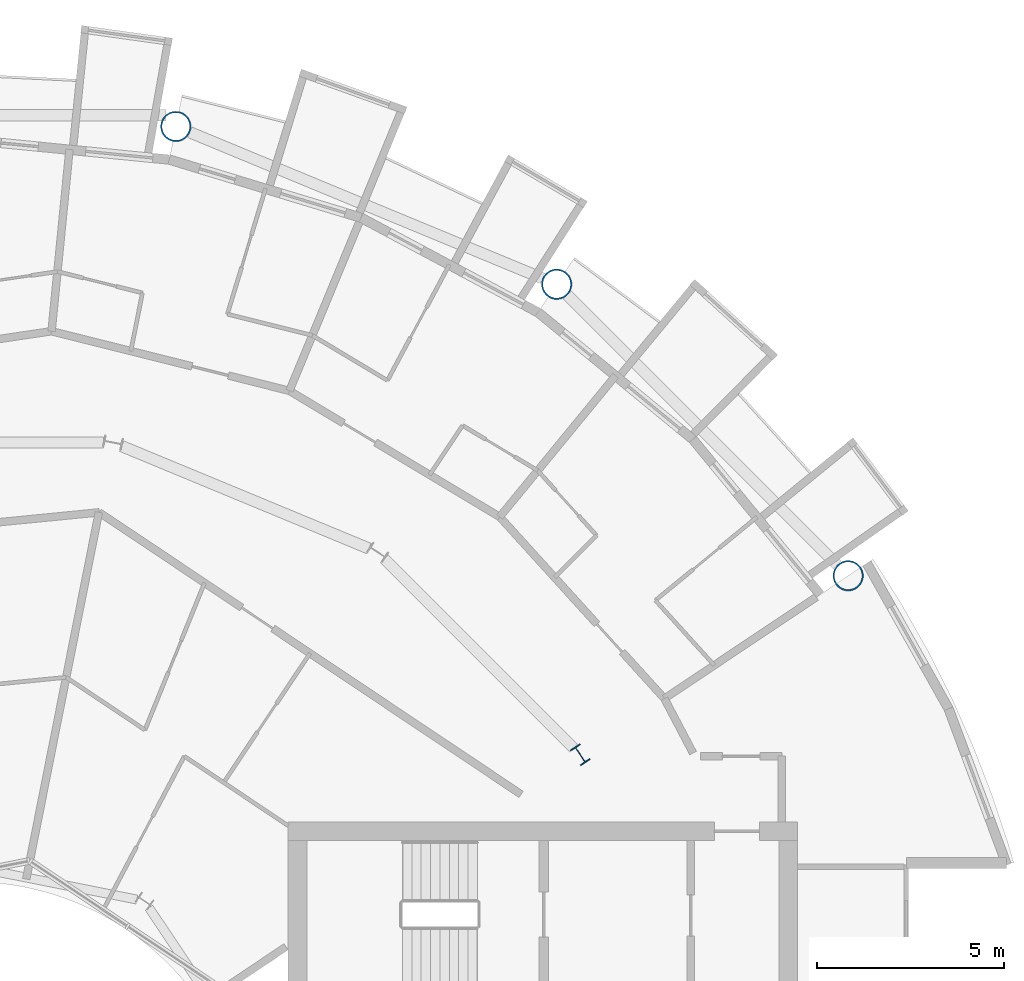
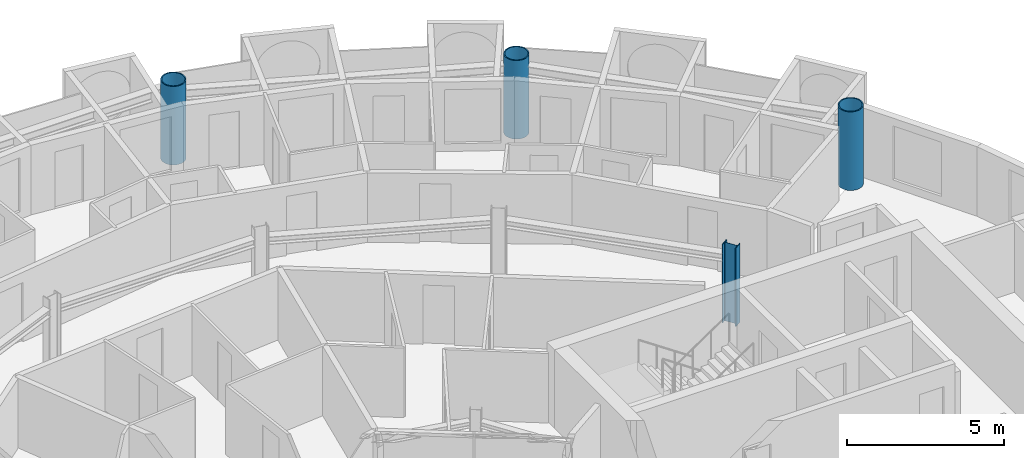
# One storey, part 4 of 27: 4 columns.
"""IFC4 building model written with IfcOpenShell, lengths in metres."""

from ifc_helpers import new_model, si_unit, direction, frame, origin, origin_2d, place, context, subcontext, project, spatial, hollow_circle, i_section, extrude, material, material_profile, profile_set, type_object, element, save


model = new_model("IFC4")

# Units and contexts
model_context = context("Model", 3, precision=1e-05, world=origin(), true_north=direction((0.0, 1.0)))
body_context = subcontext(model_context, "Body", "Model", "MODEL_VIEW")
ifc_project = project(units=[si_unit("LENGTHUNIT", "METRE"), si_unit("AREAUNIT", "SQUARE_METRE"), si_unit("VOLUMEUNIT", "CUBIC_METRE"), si_unit("PLANEANGLEUNIT", "RADIAN"), si_unit("MASSUNIT", "GRAM", prefix="KILO")], contexts=[model_context])

# Site, building, storey
site_placement = place(None, origin())
site = spatial("IfcSite", under=ifc_project, at=site_placement, CompositionType="ELEMENT")
building_placement = place(site_placement, origin())
building = spatial("IfcBuilding", under=site, at=building_placement, Name="Maasbend Ring Residences", CompositionType="ELEMENT")
storey_placement = place(building_placement, frame((0.0, 0.0, 145.199951171875)))
storey = spatial("IfcBuildingStorey", under=building, at=storey_placement, Name="L41", CompositionType="ELEMENT", Elevation=145.199951171875)

# Columns
ifc_material_1 = material(Name="Composite concrete-filled steel tube S460NH / C80/95", Category="concrete")
ifc_material_profile_1 = material_profile(ifc_material_1, hollow_circle(Radius=0.406494140625, WallThickness=0.0400390625, at=origin_2d()), Name="Composite tube column CHS 813x40")
ifc_profile_set_1 = profile_set([ifc_material_profile_1], Name="Composite concrete-filled steel tube S460NH / C80/95")
column_type_1 = type_object("IfcColumnType", Name="Composite tube column CHS 813x40", PredefinedType="COLUMN", material=ifc_profile_set_1)
for number, where, z_axis, x_axis, name in (
    (1, (23.447509765625, 15.6669921875, 0.0), (0.0, 0.0, 1.0), (1.0, 0.0, 0.0), "Outer column R2"),
    (2, (15.6669921875, 23.447509765625, 0.0), (0.0, 0.0, 1.0), (1.0, 0.0, 0.0), "Outer column R3"),
    (3, (5.50146484375, 27.658203125, 0.0), (0.0, 0.0, 1.0), (1.0, 0.0, 0.0), "Outer column R4"),
):
    element("IfcColumn", number, at=place(storey_placement, frame(where, z_axis=z_axis, x_axis=x_axis)), inside=storey, type_object=column_type_1, Name=name, PredefinedType="COLUMN", context=body_context, shape_type="SweptSolid", body=[
        extrude(hollow_circle(Radius=0.406494140625, WallThickness=0.0400390625, at=origin_2d()), origin(), (0.0, 0.0, 1.0), 3.050048828125),
    ])
ifc_material_2 = material(Name="Steel S355J2", Category="steel")
ifc_material_profile_2 = material_profile(ifc_material_2, i_section(OverallWidth=0.300048828125, OverallDepth=0.5, WebThickness=0.014404296875, FlangeThickness=0.028076171875, FilletRadius=0.027099609375, at=origin_2d()), Name="HEB 500")
ifc_profile_set_2 = profile_set([ifc_material_profile_2], Name="Steel S355J2")
column_type_2 = type_object("IfcColumnType", Name="Steel column HEB 500", PredefinedType="COLUMN", material=ifc_profile_set_2)
column_placement = place(storey_placement, frame((16.296875, 10.88916015625, 0.0), z_axis=(0.0, 0.0, 1.0), x_axis=(0.831469612303, 0.55557023302, 0.0)))
element("IfcColumn", 4, at=column_placement, inside=storey, type_object=column_type_2, Name="Corridor ring column R2", PredefinedType="COLUMN", context=body_context, shape_type="SweptSolid", body=[
    extrude(i_section(OverallWidth=0.300048828125, OverallDepth=0.5, WebThickness=0.014404296875, FlangeThickness=0.028076171875, FilletRadius=0.027099609375, at=origin_2d()), origin(), (0.0, 0.0, 1.0), 3.050048828125),
])

save(model, "model.ifc")
